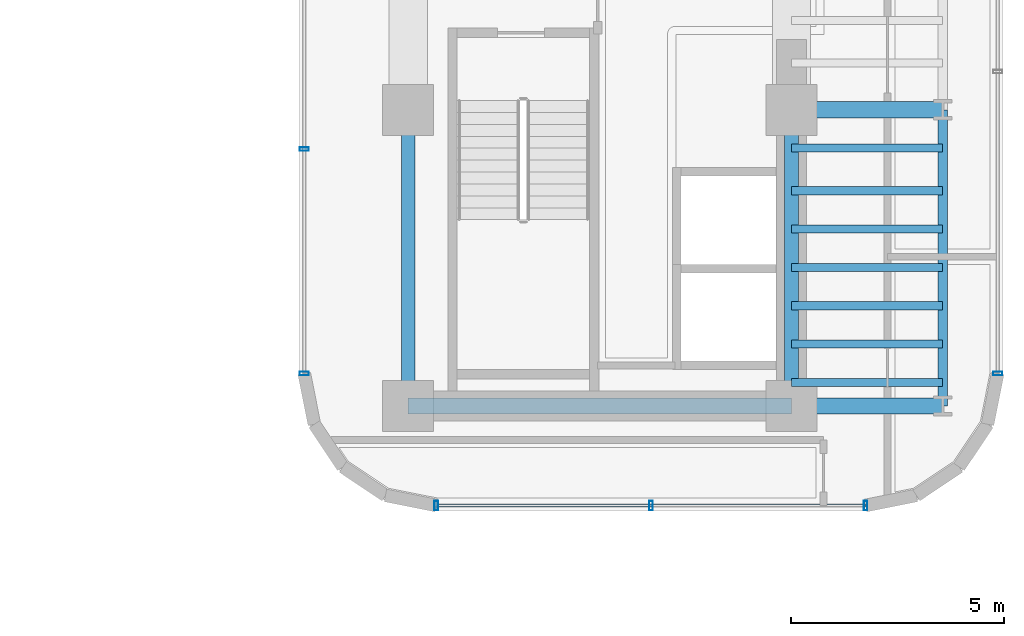
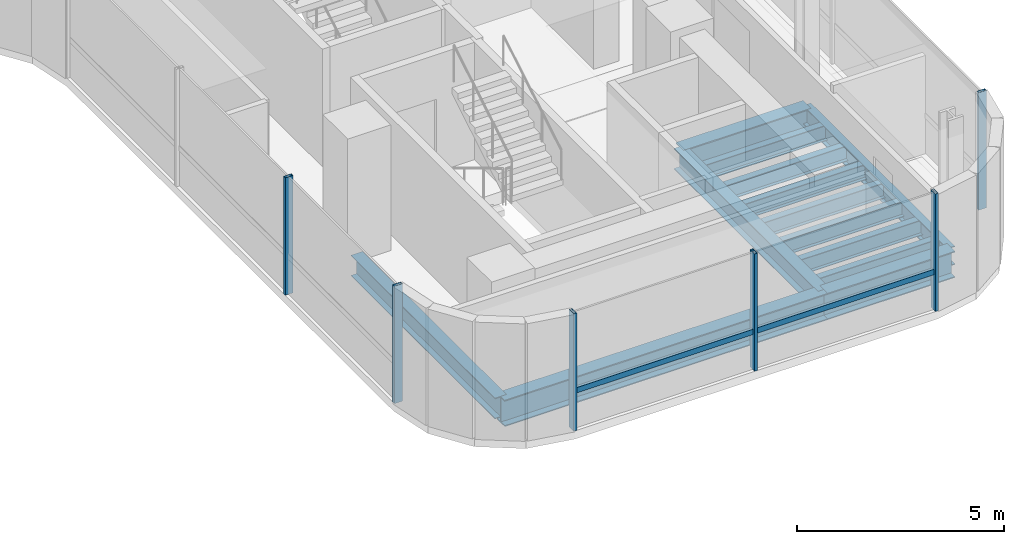
# One storey, part 11 of 35: 13 beams, 7 members, 3 elements without a shape of their own.
"""IFC4 building model written with IfcOpenShell, lengths in metres."""

from ifc_helpers import new_model, si_unit, direction, frame, origin, origin_2d, place, context, subcontext, project, spatial, hollow_rectangle, i_section, extrude, source, transform, mapped, material, material_profile, profile_set, type_object, element, aggregate, save


model = new_model("IFC4")

# Units and contexts
model_context = context("Model", 3, precision=1e-05, world=origin(), true_north=direction((0.0, 1.0)))
body_context = subcontext(model_context, "Body", "Model", "MODEL_VIEW")
ifc_project = project(units=[si_unit("LENGTHUNIT", "METRE"), si_unit("AREAUNIT", "SQUARE_METRE"), si_unit("VOLUMEUNIT", "CUBIC_METRE"), si_unit("PLANEANGLEUNIT", "RADIAN"), si_unit("MASSUNIT", "GRAM", prefix="KILO")], contexts=[model_context])

# Site, building, storey
site_placement = place(None, origin())
site = spatial("IfcSite", under=ifc_project, at=site_placement, CompositionType="ELEMENT")
building_placement = place(site_placement, origin())
building = spatial("IfcBuilding", under=site, at=building_placement, Name="Valdorenza Pilgrim Sanctuary Tower", CompositionType="ELEMENT")
storey_placement = place(building_placement, frame((0.0, 0.0, 105.699951171875)))
storey = spatial("IfcBuildingStorey", under=building, at=storey_placement, Name="L26", CompositionType="ELEMENT", Elevation=105.699951171875)

# Beams
ifc_material_1 = material(Name="Steel ASTM A992 Grade 50", Category="steel")
ifc_material_profile_1 = material_profile(ifc_material_1, i_section(OverallWidth=0.323974609375, OverallDepth=0.611083984375, WebThickness=0.0126953125, FlangeThickness=0.01904296875, at=origin_2d()), Name="W24X104")
ifc_profile_set_1 = profile_set([ifc_material_profile_1], Name="Steel ASTM A992 Grade 50")
beam_type_1 = type_object("IfcBeamType", Name="STR-BM-GRD-W24B", PredefinedType="BEAM", material=ifc_profile_set_1)
shared_shape_1 = source(origin(), body_context, "Body", "SweptSolid", [
    extrude(i_section(OverallWidth=0.323974609375, OverallDepth=0.611083984375, WebThickness=0.0126953125, FlangeThickness=0.01904296875, at=origin_2d()), origin(), (0.0, 0.0, 1.0), 6.949951171875),
])
for number, where, z_axis, x_axis, name in (
    (1, (15.85009765625, -9.550048828125, -0.54541015625), (0.0, 1.0, 0.0), (-1.0, 0.0, 0.0), "L26 Core Tie Girder CB-W-S1M0"),
    (2, (24.85009765625, -9.550048828125, -0.54541015625), (0.0, 1.0, 0.0), (-1.0, 0.0, 0.0), "L26 Core Tie Girder CB-E-S1M0"),
):
    element("IfcBeam", number, at=place(storey_placement, frame(where, z_axis=z_axis, x_axis=x_axis)), inside=storey, type_object=beam_type_1, Name=name, PredefinedType="BEAM", context=body_context, shape_type="MappedRepresentation", body=[
        mapped(shared_shape_1, transform((0.0, 0.0, 0.0), x_axis=(1.0, 0.0, 0.0), y_axis=(0.0, 1.0, 0.0), z_axis=(0.0, 0.0, 1.0), scale=1.0)),
    ])
ifc_material_profile_2 = material_profile(ifc_material_1, i_section(OverallWidth=0.214111328125, OverallDepth=0.549072265625, WebThickness=0.0146484375, FlangeThickness=0.023681640625, at=origin_2d()), Name="W21X93")
ifc_profile_set_2 = profile_set([ifc_material_profile_2], Name="Steel ASTM A992 Grade 50")
beam_type_2 = type_object("IfcBeamType", Name="STR-BM-SPN-W21A", PredefinedType="SPANDREL", material=ifc_profile_set_2)
shared_shape_2 = source(origin(), body_context, "Body", "SweptSolid", [
    extrude(i_section(OverallWidth=0.214111328125, OverallDepth=0.549072265625, WebThickness=0.0146484375, FlangeThickness=0.023681640625, at=origin_2d()), origin(), (0.0, 0.0, 1.0), 6.949951171875),
])
beam_1_placement = place(storey_placement, frame((28.39990234375, -9.550048828125, -0.514404296875), z_axis=(0.0, 1.0, 0.0), x_axis=(-1.0, 0.0, 0.0)))
element("IfcBeam", 3, at=beam_1_placement, inside=storey, type_object=beam_type_2, Name="L26 Spandrel Beam WB-E-S1M0", PredefinedType="SPANDREL", context=body_context, shape_type="MappedRepresentation", body=[
    mapped(shared_shape_2, transform((0.0, 0.0, 0.0), x_axis=(1.0, 0.0, 0.0), y_axis=(0.0, 1.0, 0.0), z_axis=(0.0, 0.0, 1.0), scale=1.0)),
])
ifc_material_profile_3 = material_profile(ifc_material_1, i_section(OverallWidth=0.382080078125, OverallDepth=0.779052734375, WebThickness=0.01806640625, FlangeThickness=0.030029296875, at=origin_2d()), Name="W30X191")
ifc_profile_set_3 = profile_set([ifc_material_profile_3], Name="Steel ASTM A992 Grade 50")
beam_type_3 = type_object("IfcBeamType", Name="STR-BM-GRD-W30", PredefinedType="BEAM", material=ifc_profile_set_3)
shared_shape_3 = source(origin(), body_context, "Body", "SweptSolid", [
    extrude(i_section(OverallWidth=0.382080078125, OverallDepth=0.779052734375, WebThickness=0.01806640625, FlangeThickness=0.030029296875, at=origin_2d()), origin(), (0.0, 0.0, 1.0), 9.0),
])
beam_2_placement = place(storey_placement, frame((15.85009765625, -9.550048828125, -0.62939453125), z_axis=(1.0, 0.0, 0.0), x_axis=(0.0, 1.0, 0.0)))
element("IfcBeam", 4, at=beam_2_placement, inside=storey, type_object=beam_type_3, Name="L26 Floor Girder CB-XC-S1", PredefinedType="BEAM", context=body_context, shape_type="MappedRepresentation", body=[
    mapped(shared_shape_3, transform((0.0, 0.0, 0.0), x_axis=(1.0, 0.0, 0.0), y_axis=(0.0, 1.0, 0.0), z_axis=(0.0, 0.0, 1.0), scale=1.0)),
])
shared_shape_4 = source(origin(), body_context, "Body", "SweptSolid", [
    extrude(i_section(OverallWidth=0.382080078125, OverallDepth=0.779052734375, WebThickness=0.01806640625, FlangeThickness=0.030029296875, at=origin_2d()), origin(), (0.0, 0.0, 1.0), 3.5498046875),
])
for number, where, z_axis, x_axis, name in (
    (5, (24.85009765625, -9.550048828125, -0.62939453125), (1.0, 0.0, 0.0), (0.0, 1.0, 0.0), "L26 Floor Girder WB-XE-S1"),
    (6, (24.85009765625, -2.60009765625, -0.62939453125), (1.0, 0.0, 0.0), (0.0, 1.0, 0.0), "L26 Floor Girder WB-XE-M0"),
):
    element("IfcBeam", number, at=place(storey_placement, frame(where, z_axis=z_axis, x_axis=x_axis)), inside=storey, type_object=beam_type_3, Name=name, PredefinedType="BEAM", context=body_context, shape_type="MappedRepresentation", body=[
        mapped(shared_shape_4, transform((0.0, 0.0, 0.0), x_axis=(1.0, 0.0, 0.0), y_axis=(0.0, 1.0, 0.0), z_axis=(0.0, 0.0, 1.0), scale=1.0)),
    ])
ifc_material_profile_4 = material_profile(ifc_material_1, i_section(OverallWidth=0.19091796875, OverallDepth=0.45703125, WebThickness=0.009033203125, FlangeThickness=0.014404296875, at=origin_2d()), Name="W18X50")
ifc_profile_set_4 = profile_set([ifc_material_profile_4], Name="Steel ASTM A992 Grade 50")
beam_type_4 = type_object("IfcBeamType", Name="STR-BM-JST-W18B", PredefinedType="JOIST", material=ifc_profile_set_4)
shared_shape_5 = source(origin(), body_context, "Body", "SweptSolid", [
    extrude(i_section(OverallWidth=0.19091796875, OverallDepth=0.45703125, WebThickness=0.009033203125, FlangeThickness=0.014404296875, at=origin_2d()), origin(), (0.0, 0.0, 1.0), 3.5498046875),
])
for number, where, z_axis, x_axis, name in (
    (7, (24.85009765625, -9.0, -0.468505859375), (1.0, 0.0, 0.0), (0.0, 1.0, 0.0), "L26 Composite Floor Joist JST-WB-1"),
    (8, (24.85009765625, -8.10009765625, -0.468505859375), (1.0, 0.0, 0.0), (0.0, 1.0, 0.0), "L26 Composite Floor Joist JST-WB-2"),
    (9, (24.85009765625, -7.199951171875, -0.468505859375), (1.0, 0.0, 0.0), (0.0, 1.0, 0.0), "L26 Composite Floor Joist JST-WB-3"),
    (10, (24.85009765625, -6.300048828125, -0.468505859375), (1.0, 0.0, 0.0), (0.0, 1.0, 0.0), "L26 Composite Floor Joist JST-WB-4"),
    (11, (24.85009765625, -5.39990234375, -0.468505859375), (1.0, 0.0, 0.0), (0.0, 1.0, 0.0), "L26 Composite Floor Joist JST-WB-5"),
    (12, (24.85009765625, -4.5, -0.468505859375), (1.0, 0.0, 0.0), (0.0, 1.0, 0.0), "L26 Composite Floor Joist JST-WB-6"),
    (13, (24.85009765625, -3.5, -0.468505859375), (1.0, 0.0, 0.0), (0.0, 1.0, 0.0), "L26 Composite Floor Joist JST-WB-7"),
):
    element("IfcBeam", number, at=place(storey_placement, frame(where, z_axis=z_axis, x_axis=x_axis)), inside=storey, type_object=beam_type_4, Name=name, PredefinedType="JOIST", context=body_context, shape_type="MappedRepresentation", body=[
        mapped(shared_shape_5, transform((0.0, 0.0, 0.0), x_axis=(1.0, 0.0, 0.0), y_axis=(0.0, 1.0, 0.0), z_axis=(0.0, 0.0, 1.0), scale=1.0)),
    ])

# Curtain wall, member
ifc_material_2 = material(Name="Curtain-wall IGU glazing", Category="glass")
curtain_wall_type = type_object("IfcCurtainWallType", Name="CW-SYS-03", PredefinedType="NOTDEFINED", material=ifc_material_2)
curtain_wall_1_placement = place(storey_placement, origin())
curtain_wall_1 = element("IfcCurtainWall", 14, at=curtain_wall_1_placement, inside=storey, type_object=curtain_wall_type, Name="L26 Curtain Wall CW-L26-1-21", PredefinedType="NOTDEFINED")
ifc_material_3 = material(Name="Anodised aluminium AW-6060", Category="aluminium")
ifc_material_profile_5 = material_profile(ifc_material_3, hollow_rectangle(XDim=0.0849609375, YDim=0.219970703125, WallThickness=0.0048828125, at=origin_2d()), Name="ALU-M 220x85x5")
ifc_profile_set_5 = profile_set([ifc_material_profile_5], Name="Anodised aluminium AW-6060")
member_type_1 = type_object("IfcMemberType", Name="CW-MUL-03", PredefinedType="MULLION", material=ifc_profile_set_5)
shared_shape_6 = source(origin(), body_context, "Body", "SweptSolid", [
    extrude(hollow_rectangle(XDim=0.0849609375, YDim=0.219970703125, WallThickness=0.0048828125, at=origin_2d()), origin(), (0.0, 0.0, 1.0), 3.4599609375),
])
member_1_placement = place(storey_placement, frame((29.68994140625, -8.789306640625, 0.0), z_axis=(0.0, 0.0, 1.0), x_axis=(0.0, -1.0, 0.0)))
member_1 = element("IfcMember", 15, at=member_1_placement, type_object=member_type_1, Name="CW-L26-1-21 Mullion 4", PredefinedType="MULLION", context=body_context, shape_type="MappedRepresentation", body=[
    mapped(shared_shape_6, transform((0.0, 0.0, 0.0), x_axis=(1.0, 0.0, 0.0), y_axis=(0.0, 1.0, 0.0), z_axis=(0.0, 0.0, 1.0), scale=1.0)),
])
aggregate(curtain_wall_1, [member_1])

# Curtain wall, members
curtain_wall_2_placement = place(storey_placement, origin())
curtain_wall_2 = element("IfcCurtainWall", 16, at=curtain_wall_2_placement, inside=storey, type_object=curtain_wall_type, Name="L26 Curtain Wall CW-L26-1-26", PredefinedType="NOTDEFINED")
member_2_placement = place(storey_placement, frame((26.589111328125, -11.889892578125, 0.0), z_axis=(0.0, 0.0, 1.0), x_axis=(-1.0, 0.0, 0.0)))
member_2 = element("IfcMember", 17, at=member_2_placement, type_object=member_type_1, Name="CW-L26-1-26 Mullion 1", PredefinedType="MULLION", context=body_context, shape_type="MappedRepresentation", body=[
    mapped(shared_shape_6, transform((0.0, 0.0, 0.0), x_axis=(1.0, 0.0, 0.0), y_axis=(0.0, 1.0, 0.0), z_axis=(0.0, 0.0, 1.0), scale=1.0)),
])
member_3_placement = place(storey_placement, frame((21.550048828125, -11.889892578125, 0.0), z_axis=(0.0, 0.0, 1.0), x_axis=(-1.0, 0.0, 0.0)))
member_3 = element("IfcMember", 18, at=member_3_placement, type_object=member_type_1, Name="CW-L26-1-26 Mullion 2", PredefinedType="MULLION", context=body_context, shape_type="MappedRepresentation", body=[
    mapped(shared_shape_6, transform((0.0, 0.0, 0.0), x_axis=(1.0, 0.0, 0.0), y_axis=(0.0, 1.0, 0.0), z_axis=(0.0, 0.0, 1.0), scale=1.0)),
])
member_4_placement = place(storey_placement, frame((16.5107421875, -11.889892578125, 0.0), z_axis=(0.0, 0.0, 1.0), x_axis=(-1.0, 0.0, 0.0)))
member_4 = element("IfcMember", 19, at=member_4_placement, type_object=member_type_1, Name="CW-L26-1-26 Mullion 3", PredefinedType="MULLION", context=body_context, shape_type="MappedRepresentation", body=[
    mapped(shared_shape_6, transform((0.0, 0.0, 0.0), x_axis=(1.0, 0.0, 0.0), y_axis=(0.0, 1.0, 0.0), z_axis=(0.0, 0.0, 1.0), scale=1.0)),
])

curtain_wall_3_placement = place(storey_placement, origin())
curtain_wall_3 = element("IfcCurtainWall", 20, at=curtain_wall_3_placement, inside=storey, type_object=curtain_wall_type, Name="L26 Curtain Wall CW-L26-1-31", PredefinedType="NOTDEFINED")
member_5_placement = place(storey_placement, frame((13.409912109375, -8.789306640625, 0.0), z_axis=(0.0, 0.0, 1.0), x_axis=(0.0, 1.0, 0.0)))
member_5 = element("IfcMember", 21, at=member_5_placement, type_object=member_type_1, Name="CW-L26-1-31 Mullion 1", PredefinedType="MULLION", context=body_context, shape_type="MappedRepresentation", body=[
    mapped(shared_shape_6, transform((0.0, 0.0, 0.0), x_axis=(1.0, 0.0, 0.0), y_axis=(0.0, 1.0, 0.0), z_axis=(0.0, 0.0, 1.0), scale=1.0)),
])
member_6_placement = place(storey_placement, frame((13.409912109375, -3.5224609375, 0.0), z_axis=(0.0, 0.0, 1.0), x_axis=(0.0, 1.0, 0.0)))
member_6 = element("IfcMember", 22, at=member_6_placement, type_object=member_type_1, Name="CW-L26-1-31 Mullion 2", PredefinedType="MULLION", context=body_context, shape_type="MappedRepresentation", body=[
    mapped(shared_shape_6, transform((0.0, 0.0, 0.0), x_axis=(1.0, 0.0, 0.0), y_axis=(0.0, 1.0, 0.0), z_axis=(0.0, 0.0, 1.0), scale=1.0)),
])
aggregate(curtain_wall_3, [member_5, member_6])

# Member
ifc_material_profile_6 = material_profile(ifc_material_3, hollow_rectangle(XDim=0.074951171875, YDim=0.159912109375, WallThickness=0.00390625, at=origin_2d()), Name="ALU-T 160x75x4")
ifc_profile_set_6 = profile_set([ifc_material_profile_6], Name="Anodised aluminium AW-6060")
member_type_2 = type_object("IfcMemberType", Name="CW-TRN-03", PredefinedType="USERDEFINED", material=ifc_profile_set_6)
shared_shape_7 = source(origin(), body_context, "Body", "SweptSolid", [
    extrude(hollow_rectangle(XDim=0.074951171875, YDim=0.159912109375, WallThickness=0.00390625, at=origin_2d()), origin(), (0.0, 0.0, 1.0), 10.078369140625),
])
member_7_placement = place(storey_placement, frame((26.589111328125, -11.889892578125, 1.1201171875), z_axis=(-1.0, 0.0, 0.0), x_axis=(0.0, -1.0, 0.0)))
member_7 = element("IfcMember", 23, at=member_7_placement, type_object=member_type_2, Name="CW-L26-1-26 Transom 1", ObjectType="TRANSOM", PredefinedType="USERDEFINED", context=body_context, shape_type="MappedRepresentation", body=[
    mapped(shared_shape_7, transform((0.0, 0.0, 0.0), x_axis=(1.0, 0.0, 0.0), y_axis=(0.0, 1.0, 0.0), z_axis=(0.0, 0.0, 1.0), scale=1.0)),
])

aggregate(curtain_wall_2, [member_2, member_3, member_4, member_7])

save(model, "model.ifc")
